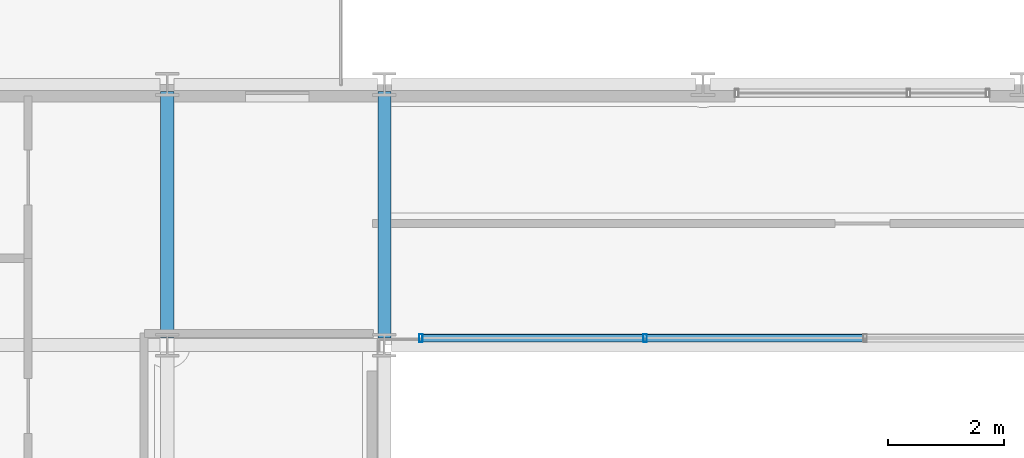
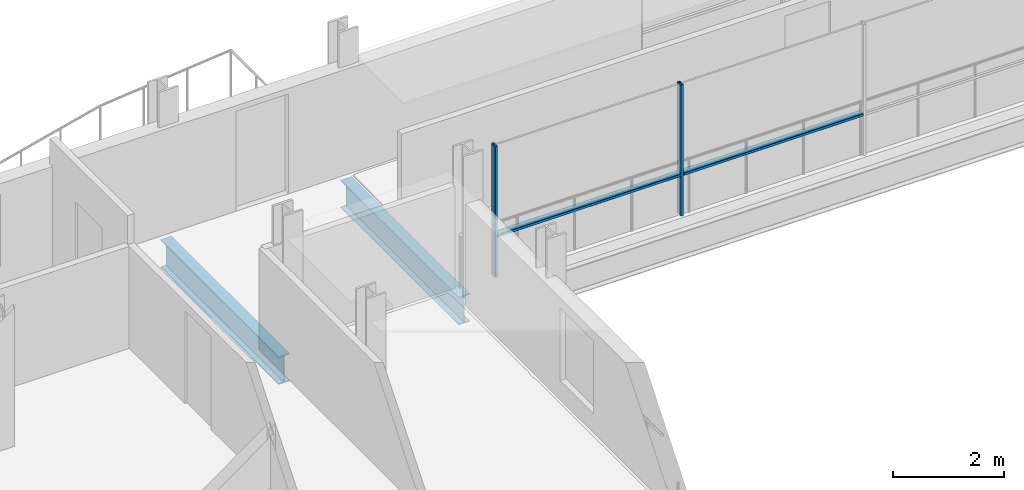
# One storey, part 11 of 41: 4 members, 2 beams, 1 element without a shape of its own.
"""IFC4 building model written with IfcOpenShell, lengths in metres."""

from ifc_helpers import new_model, si_unit, direction, frame, origin, origin_2d, place, context, subcontext, project, spatial, hollow_rectangle, i_section, extrude, material, layer, layer_set, material_profile, profile_set, type_object, element, aggregate, save


model = new_model("IFC4")

# Units and contexts
model_context = context("Model", 3, precision=1e-05, world=origin(), true_north=direction((0.0, 1.0)))
body_context = subcontext(model_context, "Body", "Model", "MODEL_VIEW")
ifc_project = project(units=[si_unit("LENGTHUNIT", "METRE"), si_unit("AREAUNIT", "SQUARE_METRE"), si_unit("VOLUMEUNIT", "CUBIC_METRE"), si_unit("PLANEANGLEUNIT", "RADIAN"), si_unit("MASSUNIT", "GRAM", prefix="KILO")], contexts=[model_context])

# Site, building, storey
site_placement = place(None, origin())
site = spatial("IfcSite", under=ifc_project, at=site_placement, CompositionType="ELEMENT")
building_placement = place(site_placement, origin())
building = spatial("IfcBuilding", under=site, at=building_placement, Name="Brevholm Reach", CompositionType="ELEMENT")
storey_placement = place(building_placement, frame((0.0, 0.0, 151.10009765625)))
storey = spatial("IfcBuildingStorey", under=building, at=storey_placement, Name="L45", CompositionType="ELEMENT", Elevation=151.10009765625)

# Beams
ifc_material_1 = material(Name="Structural Steel S355J2", Category="steel")
ifc_material_profile_1 = material_profile(ifc_material_1, i_section(OverallWidth=0.22900390625, OverallDepth=0.6123046875, WebThickness=0.011962890625, FlangeThickness=0.01953125, FilletRadius=0.0126953125, at=origin_2d()), Name="UKB 610x229x125")
ifc_profile_set_1 = profile_set([ifc_material_profile_1], Name="Structural Steel S355J2")
beam_type = type_object("IfcBeamType", Name="BM-SP610", PredefinedType="SPANDREL", material=ifc_profile_set_1)
for number, where, z_axis, x_axis, name in (
    (1, (18.0, 26.6201171875, -0.526123046875), (0.0, 1.0, 0.0), (-1.0, 0.0, 0.0), "L45 SP-01 Framing Beam"),
    (2, (21.75, 26.6201171875, -0.526123046875), (0.0, 1.0, 0.0), (-1.0, 0.0, 0.0), "L45 SP-01 Framing Beam"),
):
    element("IfcBeam", number, at=place(storey_placement, frame(where, z_axis=z_axis, x_axis=x_axis)), inside=storey, type_object=beam_type, Name=name, PredefinedType="SPANDREL", context=body_context, shape_type="SweptSolid", body=[
        extrude(i_section(OverallWidth=0.22900390625, OverallDepth=0.6123046875, WebThickness=0.011962890625, FlangeThickness=0.01953125, FilletRadius=0.0126953125, at=origin_2d()), origin(), (0.0, 0.0, 1.0), 4.259765625),
    ])

# Curtain wall, members
ifc_material_2 = material(Name="Dark Anodised Aluminium 6063-T6 and Solar-Control Glass", Category="aluminium")
ifc_layer = layer(ifc_material_2, 0.139892578125)
ifc_layer_set = layer_set([ifc_layer], Name="Dark Anodised Aluminium 6063-T6 and Solar-Control Glass")
curtain_wall_type = type_object("IfcCurtainWallType", Name="CW-02", PredefinedType="NOTDEFINED", material=ifc_layer_set)
curtain_wall_placement = place(storey_placement, origin())
curtain_wall = element("IfcCurtainWall", 3, at=curtain_wall_placement, inside=storey, type_object=curtain_wall_type, Name="L45 Curtain Wall CW-02", PredefinedType="NOTDEFINED")
ifc_material_3 = material(Name="Dark Anodised Aluminium 6063-T6", Category="aluminium")
ifc_material_profile_2 = material_profile(ifc_material_3, hollow_rectangle(XDim=0.06005859375, YDim=0.139892578125, WallThickness=0.0048828125, InnerFilletRadius=0.0048828125, OuterFilletRadius=0.010009765625, at=origin_2d()), Name="RHS 140x60x5")
ifc_profile_set_2 = profile_set([ifc_material_profile_2], Name="Dark Anodised Aluminium 6063-T6")
member_type_1 = type_object("IfcMemberType", Name="CWM-140", PredefinedType="MULLION", material=ifc_profile_set_2)
member_1_placement = place(storey_placement, frame((26.25, 26.6201171875, 0.0), z_axis=(0.0, 0.0, 1.0), x_axis=(-1.0, 0.0, 0.0)))
member_1 = element("IfcMember", 4, at=member_1_placement, type_object=member_type_1, Name="CM-140 Mullion 4", PredefinedType="MULLION", context=body_context, shape_type="SweptSolid", body=[
    extrude(hollow_rectangle(XDim=0.06005859375, YDim=0.139892578125, WallThickness=0.0048828125, InnerFilletRadius=0.0048828125, OuterFilletRadius=0.010009765625, at=origin_2d()), origin(), (0.0, 0.0, 1.0), 2.8798828125),
])
member_2_placement = place(storey_placement, frame((22.3798828125, 26.6201171875, 0.0), z_axis=(0.0, 0.0, 1.0), x_axis=(-1.0, 0.0, 0.0)))
member_2 = element("IfcMember", 5, at=member_2_placement, type_object=member_type_1, Name="CM-140 Mullion 5", PredefinedType="MULLION", context=body_context, shape_type="SweptSolid", body=[
    extrude(hollow_rectangle(XDim=0.06005859375, YDim=0.139892578125, WallThickness=0.0048828125, InnerFilletRadius=0.0048828125, OuterFilletRadius=0.010009765625, at=origin_2d()), origin(), (0.0, 0.0, 1.0), 2.8798828125),
])
ifc_material_4 = material(Name="Dark Anodised Aluminium 6063-T6", Category="aluminium")
ifc_material_profile_3 = material_profile(ifc_material_4, hollow_rectangle(XDim=0.06005859375, YDim=0.139892578125, WallThickness=0.0048828125, InnerFilletRadius=0.0048828125, OuterFilletRadius=0.010009765625, at=origin_2d()), Name="RHS 140x60x5")
ifc_profile_set_3 = profile_set([ifc_material_profile_3], Name="Dark Anodised Aluminium 6063-T6")
member_type_2 = type_object("IfcMemberType", Name="CWT-140", PredefinedType="NOTDEFINED", material=ifc_profile_set_3)
member_3_placement = place(storey_placement, frame((30.02001953125, 26.6201171875, 0.89990234375), z_axis=(-1.0, 0.0, 0.0), x_axis=(0.0, 0.0, 1.0)))
member_3 = element("IfcMember", 6, at=member_3_placement, type_object=member_type_2, Name="CT-140 Transom 3.1", ObjectType="TRANSOM", PredefinedType="USERDEFINED", context=body_context, shape_type="SweptSolid", body=[
    extrude(hollow_rectangle(XDim=0.06005859375, YDim=0.139892578125, WallThickness=0.0048828125, InnerFilletRadius=0.0048828125, OuterFilletRadius=0.010009765625, at=origin_2d()), origin(), (0.0, 0.0, 1.0), 3.739990234375),
])
member_4_placement = place(storey_placement, frame((26.219970703125, 26.6201171875, 0.89990234375), z_axis=(-1.0, 0.0, 0.0), x_axis=(0.0, 0.0, 1.0)))
member_4 = element("IfcMember", 7, at=member_4_placement, type_object=member_type_2, Name="CT-140 Transom 4.1", ObjectType="TRANSOM", PredefinedType="USERDEFINED", context=body_context, shape_type="SweptSolid", body=[
    extrude(hollow_rectangle(XDim=0.06005859375, YDim=0.139892578125, WallThickness=0.0048828125, InnerFilletRadius=0.0048828125, OuterFilletRadius=0.010009765625, at=origin_2d()), origin(), (0.0, 0.0, 1.0), 3.81005859375),
])
aggregate(curtain_wall, [member_1, member_2, member_3, member_4])

save(model, "model.ifc")
